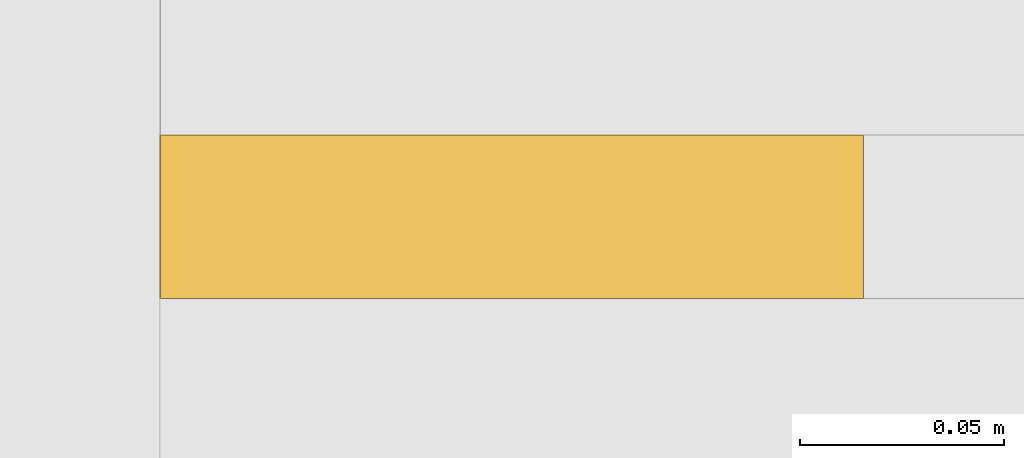
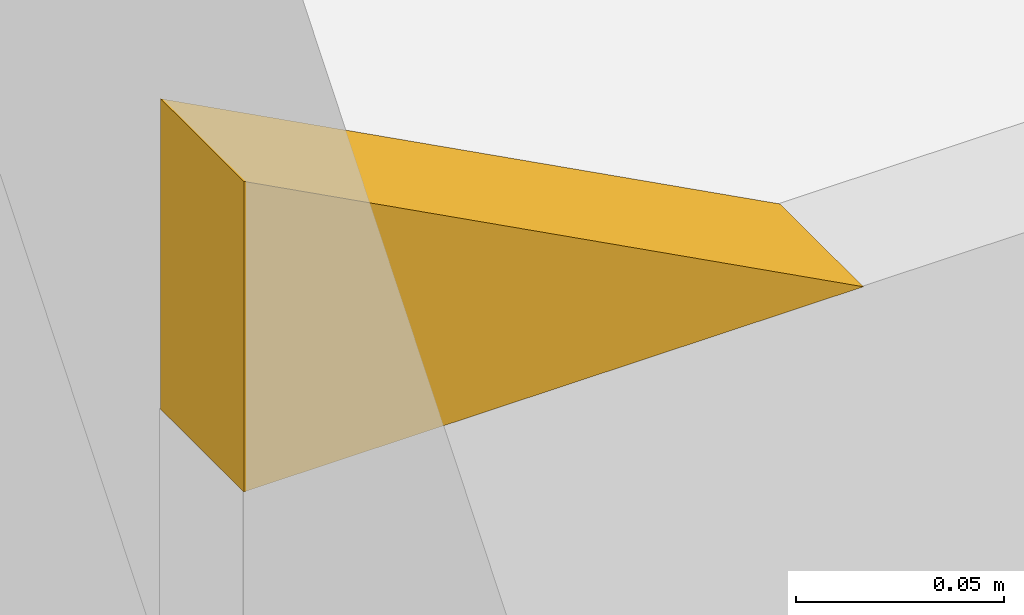
# One storey, part 16 of 23: 1 covering.
"""IFC4 building model written with IfcOpenShell, lengths in metres."""

from ifc_helpers import new_model, si_unit, direction, frame, origin, place, context, subcontext, project, spatial, polyline, outline, extrude, material, layer, layer_set, type_object, element, save


model = new_model("IFC4")

# Units and contexts
model_context = context("Model", 3, precision=1e-05, world=origin(), true_north=direction((0.0, 1.0)))
body_context = subcontext(model_context, "Body", "Model", "MODEL_VIEW")
ifc_project = project(units=[si_unit("LENGTHUNIT", "METRE"), si_unit("AREAUNIT", "SQUARE_METRE"), si_unit("VOLUMEUNIT", "CUBIC_METRE"), si_unit("PLANEANGLEUNIT", "RADIAN"), si_unit("MASSUNIT", "GRAM", prefix="KILO")], contexts=[model_context])

# Site, building, storey
site_placement = place(None, origin())
site = spatial("IfcSite", under=ifc_project, at=site_placement, CompositionType="ELEMENT")
building_placement = place(site_placement, origin())
building = spatial("IfcBuilding", under=site, at=building_placement, Name="Malebo Sky Hospital", CompositionType="ELEMENT")
storey_placement = place(building_placement, frame((0.0, 0.0, 91.0)))
storey = spatial("IfcBuildingStorey", under=building, at=storey_placement, Name="L21", CompositionType="ELEMENT", Elevation=91.0)

# Covering
ifc_material = material(Name="Anodised aluminium, natural silver insulated infill panel", Category="aluminium")
ifc_layer = layer(ifc_material, 0.0400390625)
ifc_layer_set = layer_set([ifc_layer], Name="BRACE INFILL PANEL 40")
covering_type = type_object("IfcCoveringType", Name="BRACE INFILL PANEL 40", PredefinedType="CLADDING", material=ifc_layer_set)
covering_placement = place(storey_placement, frame((60.12353515625, 36.5, 3.32666015625), z_axis=(0.0, 0.0, 1.0), x_axis=(-1.0, 0.0, 0.0)))
element("IfcCovering", 1, at=covering_placement, inside=storey, type_object=covering_type, Name="Brace infill panel 7.2", PredefinedType="CLADDING", context=body_context, shape_type="SweptSolid", body=[
    extrude(outline(polyline([(-0.0859375, 0.0), (0.0859375, 0.0), (0.0859375, 0.091064453125), (-0.0859375, 0.0)])), frame((0.0, 0.02001953125, 0.0), z_axis=(0.0, -1.0, 0.0), x_axis=(1.0, 0.0, 0.0)), (0.0, 0.0, 1.0), 0.0400390625),
])

save(model, "model.ifc")
